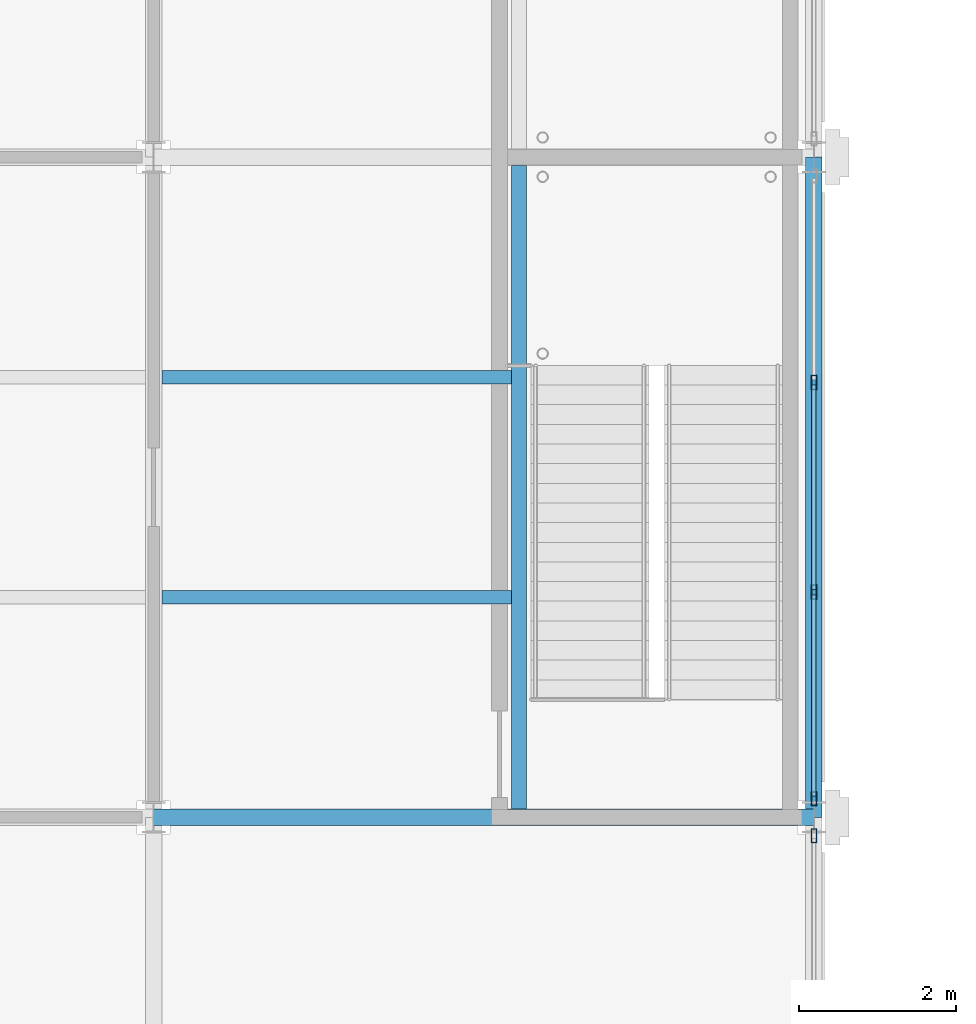
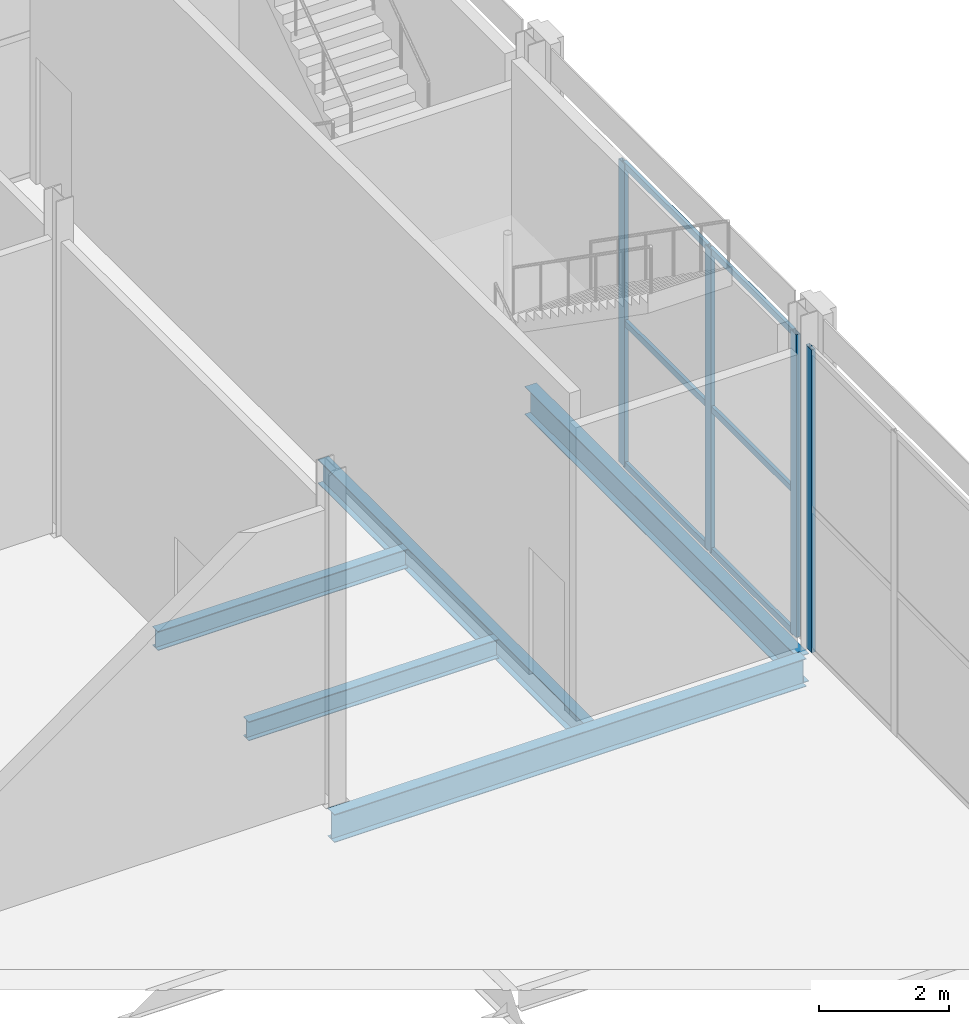
# One storey, part 40 of 77: 10 members, 5 beams, 2 elements without a shape of their own.
"""IFC4 building model written with IfcOpenShell, lengths in metres."""

from ifc_helpers import new_model, si_unit, direction, frame, origin, origin_2d, place, context, subcontext, project, spatial, hollow_rectangle, i_section, extrude, material, material_profile, profile_set, type_object, element, aggregate, save


model = new_model("IFC4")

# Units and contexts
model_context = context("Model", 3, precision=1e-05, world=origin(), true_north=direction((0.0, 1.0)))
body_context = subcontext(model_context, "Body", "Model", "MODEL_VIEW")
ifc_project = project(units=[si_unit("LENGTHUNIT", "METRE"), si_unit("AREAUNIT", "SQUARE_METRE"), si_unit("VOLUMEUNIT", "CUBIC_METRE"), si_unit("PLANEANGLEUNIT", "RADIAN"), si_unit("MASSUNIT", "GRAM", prefix="KILO")], contexts=[model_context])

# Site, building, storey
site_placement = place(None, origin())
site = spatial("IfcSite", under=ifc_project, at=site_placement, CompositionType="ELEMENT")
building_placement = place(site_placement, origin())
building = spatial("IfcBuilding", under=site, at=building_placement, Name="Catenary Quay Ferry Terminal", CompositionType="ELEMENT")
storey_placement = place(building_placement, frame((0.0, 0.0, 10.800048828125)))
storey = spatial("IfcBuildingStorey", under=building, at=storey_placement, Name="L02", CompositionType="ELEMENT", Elevation=10.800048828125)

# Beams
ifc_material_1 = material(Name="Steel S355", Category="steel")
ifc_material_profile_1 = material_profile(ifc_material_1, i_section(OverallWidth=0.18994140625, OverallDepth=0.453369140625, WebThickness=0.008544921875, FlangeThickness=0.0126953125, at=origin_2d()), Name="UB 457x191x67")
ifc_profile_set_1 = profile_set([ifc_material_profile_1], Name="Steel S355")
beam_type_1 = type_object("IfcBeamType", Name="B1 UB 457x191x67", PredefinedType="BEAM", material=ifc_profile_set_1)
beam_1_placement = place(storey_placement, frame((63.449951171875, 193.303955078125, -0.47705078125), z_axis=(0.0, 1.0, 0.0), x_axis=(-1.0, 0.0, 0.0)))
element("IfcBeam", 1, at=beam_1_placement, inside=storey, type_object=beam_type_1, Name="Beam B1-002", PredefinedType="BEAM", context=body_context, shape_type="SweptSolid", body=[
    extrude(i_section(OverallWidth=0.18994140625, OverallDepth=0.453369140625, WebThickness=0.008544921875, FlangeThickness=0.0126953125, at=origin_2d()), origin(), (0.0, 0.0, 1.0), 8.192138671875),
])
ifc_material_2 = material(Name="Steel S355", Category="steel")
ifc_material_profile_2 = material_profile(ifc_material_2, i_section(OverallWidth=0.208740234375, OverallDepth=0.5283203125, WebThickness=0.009521484375, FlangeThickness=0.01318359375, at=origin_2d()), Name="UB 533x210x82")
ifc_profile_set_2 = profile_set([ifc_material_profile_2], Name="Steel S355")
beam_type_2 = type_object("IfcBeamType", Name="B5 UB 533x210x82", PredefinedType="BEAM", material=ifc_profile_set_2)
beam_2_placement = place(storey_placement, frame((58.800048828125, 193.199951171875, -0.51416015625), z_axis=(1.0, 0.0, 0.0), x_axis=(0.0, 1.0, 0.0)))
element("IfcBeam", 2, at=beam_2_placement, inside=storey, type_object=beam_type_2, Name="Beam B5-019", PredefinedType="BEAM", context=body_context, shape_type="SweptSolid", body=[
    extrude(i_section(OverallWidth=0.208740234375, OverallDepth=0.5283203125, WebThickness=0.009521484375, FlangeThickness=0.01318359375, at=origin_2d()), origin(), (0.0, 0.0, 1.0), 8.39990234375),
])
beam_3_placement = place(storey_placement, frame((67.199951171875, 193.199951171875, -0.51416015625), z_axis=(0.0, 1.0, 0.0), x_axis=(-1.0, 0.0, 0.0)))
element("IfcBeam", 3, at=beam_3_placement, inside=storey, type_object=beam_type_2, Name="Beam B5-048", PredefinedType="BEAM", context=body_context, shape_type="SweptSolid", body=[
    extrude(i_section(OverallWidth=0.208740234375, OverallDepth=0.5283203125, WebThickness=0.009521484375, FlangeThickness=0.01318359375, at=origin_2d()), origin(), (0.0, 0.0, 1.0), 8.400146484375),
])
ifc_material_3 = material(Name="Steel S355", Category="steel")
ifc_material_profile_3 = material_profile(ifc_material_3, i_section(OverallWidth=0.169921875, OverallDepth=0.360107421875, WebThickness=0.008056640625, FlangeThickness=0.0126953125, at=origin_2d()), Name="IPE 360")
ifc_profile_set_3 = profile_set([ifc_material_profile_3], Name="Steel S355")
beam_type_3 = type_object("IfcBeamType", Name="B7 IPE 360", PredefinedType="BEAM", material=ifc_profile_set_3)
for number, where, z_axis, x_axis, name in (
    (4, (58.904052734375, 196.0, -0.429931640625), (1.0, 0.0, 0.0), (0.0, 1.0, 0.0), "Beam B7-039"),
    (5, (58.904052734375, 198.800048828125, -0.429931640625), (1.0, 0.0, 0.0), (0.0, 1.0, 0.0), "Beam B7-044"),
):
    element("IfcBeam", number, at=place(storey_placement, frame(where, z_axis=z_axis, x_axis=x_axis)), inside=storey, type_object=beam_type_3, Name=name, PredefinedType="BEAM", context=body_context, shape_type="SweptSolid", body=[
        extrude(i_section(OverallWidth=0.169921875, OverallDepth=0.360107421875, WebThickness=0.008056640625, FlangeThickness=0.0126953125, at=origin_2d()), origin(), (0.0, 0.0, 1.0), 4.450927734375),
    ])

# Curtain wall, member
ifc_material_4 = material(Name="Aluminium and glass", Category="aluminium")
curtain_wall_type = type_object("IfcCurtainWallType", Name="CWW2", PredefinedType="NOTDEFINED", material=ifc_material_4)
curtain_wall_1_placement = place(storey_placement, origin())
curtain_wall_1 = element("IfcCurtainWall", 6, at=curtain_wall_1_placement, inside=storey, type_object=curtain_wall_type, Name="Wing curtain wall CW133", PredefinedType="NOTDEFINED")
ifc_material_5 = material(Name="Aluminium", Category="aluminium")
ifc_material_profile_4 = material_profile(ifc_material_5, hollow_rectangle(XDim=0.070068359375, YDim=0.179931640625, WallThickness=0.006103515625, at=origin_2d()), Name="MU3")
ifc_profile_set_4 = profile_set([ifc_material_profile_4], Name="Aluminium")
member_type_1 = type_object("IfcMemberType", Name="MU3", PredefinedType="MULLION", material=ifc_profile_set_4)
member_1_placement = place(storey_placement, frame((67.199951171875, 192.965087890625, 0.0), z_axis=(0.0, 0.0, 1.0), x_axis=(-1.0, 0.0, 0.0)))
member_1 = element("IfcMember", 7, at=member_1_placement, type_object=member_type_1, Name="CW133 mullion 4", PredefinedType="MULLION", context=body_context, shape_type="SweptSolid", body=[
    extrude(hollow_rectangle(XDim=0.070068359375, YDim=0.179931640625, WallThickness=0.006103515625, at=origin_2d()), origin(), (0.0, 0.0, 1.0), 5.699951171875),
])
aggregate(curtain_wall_1, [member_1])

# Curtain wall, members
curtain_wall_2_placement = place(storey_placement, origin())
curtain_wall_2 = element("IfcCurtainWall", 8, at=curtain_wall_2_placement, inside=storey, type_object=curtain_wall_type, Name="Wing curtain wall CW134", PredefinedType="NOTDEFINED")
member_2_placement = place(storey_placement, frame((67.199951171875, 193.43505859375, 0.0), z_axis=(0.0, 0.0, 1.0), x_axis=(-1.0, 0.0, 0.0)))
member_2 = element("IfcMember", 9, at=member_2_placement, type_object=member_type_1, Name="CW134 mullion 1", PredefinedType="MULLION", context=body_context, shape_type="SweptSolid", body=[
    extrude(hollow_rectangle(XDim=0.070068359375, YDim=0.179931640625, WallThickness=0.006103515625, at=origin_2d()), origin(), (0.0, 0.0, 1.0), 5.699951171875),
])
member_3_placement = place(storey_placement, frame((67.199951171875, 196.066650390625, 0.0), z_axis=(0.0, 0.0, 1.0), x_axis=(-1.0, 0.0, 0.0)))
member_3 = element("IfcMember", 10, at=member_3_placement, type_object=member_type_1, Name="CW134 mullion 2", PredefinedType="MULLION", context=body_context, shape_type="SweptSolid", body=[
    extrude(hollow_rectangle(XDim=0.070068359375, YDim=0.179931640625, WallThickness=0.006103515625, at=origin_2d()), origin(), (0.0, 0.0, 1.0), 5.699951171875),
])
member_4_placement = place(storey_placement, frame((67.199951171875, 198.7333984375, 0.0), z_axis=(0.0, 0.0, 1.0), x_axis=(-1.0, 0.0, 0.0)))
member_4 = element("IfcMember", 11, at=member_4_placement, type_object=member_type_1, Name="CW134 mullion 3", PredefinedType="MULLION", context=body_context, shape_type="SweptSolid", body=[
    extrude(hollow_rectangle(XDim=0.070068359375, YDim=0.179931640625, WallThickness=0.006103515625, at=origin_2d()), origin(), (0.0, 0.0, 1.0), 5.699951171875),
])
ifc_material_6 = material(Name="Aluminium", Category="aluminium")
ifc_material_profile_5 = material_profile(ifc_material_6, hollow_rectangle(XDim=0.06005859375, YDim=0.1201171875, WallThickness=0.0048828125, at=origin_2d()), Name="TR3")
ifc_profile_set_5 = profile_set([ifc_material_profile_5], Name="Aluminium")
member_type_2 = type_object("IfcMemberType", Name="TR3", PredefinedType="USERDEFINED", material=ifc_profile_set_5)
member_5_placement = place(storey_placement, frame((67.199951171875, 193.469970703125, 0.030029296875), z_axis=(0.0, 1.0, 0.0), x_axis=(-1.0, 0.0, 0.0)))
member_5 = element("IfcMember", 12, at=member_5_placement, type_object=member_type_2, Name="CW134 transom 1.1", ObjectType="TRANSOM", PredefinedType="USERDEFINED", context=body_context, shape_type="SweptSolid", body=[
    extrude(hollow_rectangle(XDim=0.06005859375, YDim=0.1201171875, WallThickness=0.0048828125, at=origin_2d()), origin(), (0.0, 0.0, 1.0), 2.561767578125),
])
member_6_placement = place(storey_placement, frame((67.199951171875, 193.469970703125, 2.699951171875), z_axis=(0.0, 1.0, 0.0), x_axis=(-1.0, 0.0, 0.0)))
member_6 = element("IfcMember", 13, at=member_6_placement, type_object=member_type_2, Name="CW134 transom 1.2", ObjectType="TRANSOM", PredefinedType="USERDEFINED", context=body_context, shape_type="SweptSolid", body=[
    extrude(hollow_rectangle(XDim=0.06005859375, YDim=0.1201171875, WallThickness=0.0048828125, at=origin_2d()), origin(), (0.0, 0.0, 1.0), 2.561767578125),
])
member_7_placement = place(storey_placement, frame((67.199951171875, 193.469970703125, 5.669921875), z_axis=(0.0, 1.0, 0.0), x_axis=(-1.0, 0.0, 0.0)))
member_7 = element("IfcMember", 14, at=member_7_placement, type_object=member_type_2, Name="CW134 transom 1.3", ObjectType="TRANSOM", PredefinedType="USERDEFINED", context=body_context, shape_type="SweptSolid", body=[
    extrude(hollow_rectangle(XDim=0.06005859375, YDim=0.1201171875, WallThickness=0.0048828125, at=origin_2d()), origin(), (0.0, 0.0, 1.0), 2.561767578125),
])
member_8_placement = place(storey_placement, frame((67.199951171875, 196.1015625, 0.030029296875), z_axis=(0.0, 1.0, 0.0), x_axis=(-1.0, 0.0, 0.0)))
member_8 = element("IfcMember", 15, at=member_8_placement, type_object=member_type_2, Name="CW134 transom 2.1", ObjectType="TRANSOM", PredefinedType="USERDEFINED", context=body_context, shape_type="SweptSolid", body=[
    extrude(hollow_rectangle(XDim=0.06005859375, YDim=0.1201171875, WallThickness=0.0048828125, at=origin_2d()), origin(), (0.0, 0.0, 1.0), 2.5966796875),
])
member_9_placement = place(storey_placement, frame((67.199951171875, 196.1015625, 2.699951171875), z_axis=(0.0, 1.0, 0.0), x_axis=(-1.0, 0.0, 0.0)))
member_9 = element("IfcMember", 16, at=member_9_placement, type_object=member_type_2, Name="CW134 transom 2.2", ObjectType="TRANSOM", PredefinedType="USERDEFINED", context=body_context, shape_type="SweptSolid", body=[
    extrude(hollow_rectangle(XDim=0.06005859375, YDim=0.1201171875, WallThickness=0.0048828125, at=origin_2d()), origin(), (0.0, 0.0, 1.0), 2.5966796875),
])
member_10_placement = place(storey_placement, frame((67.199951171875, 196.1015625, 5.669921875), z_axis=(0.0, 1.0, 0.0), x_axis=(-1.0, 0.0, 0.0)))
member_10 = element("IfcMember", 17, at=member_10_placement, type_object=member_type_2, Name="CW134 transom 2.3", ObjectType="TRANSOM", PredefinedType="USERDEFINED", context=body_context, shape_type="SweptSolid", body=[
    extrude(hollow_rectangle(XDim=0.06005859375, YDim=0.1201171875, WallThickness=0.0048828125, at=origin_2d()), origin(), (0.0, 0.0, 1.0), 2.5966796875),
])
aggregate(curtain_wall_2, [member_2, member_3, member_4, member_5, member_6, member_7, member_8, member_9, member_10])

save(model, "model.ifc")
